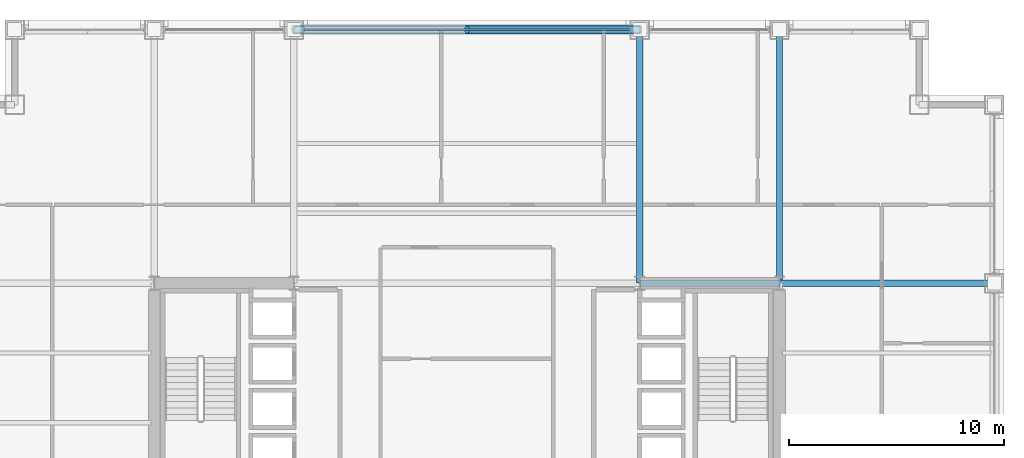
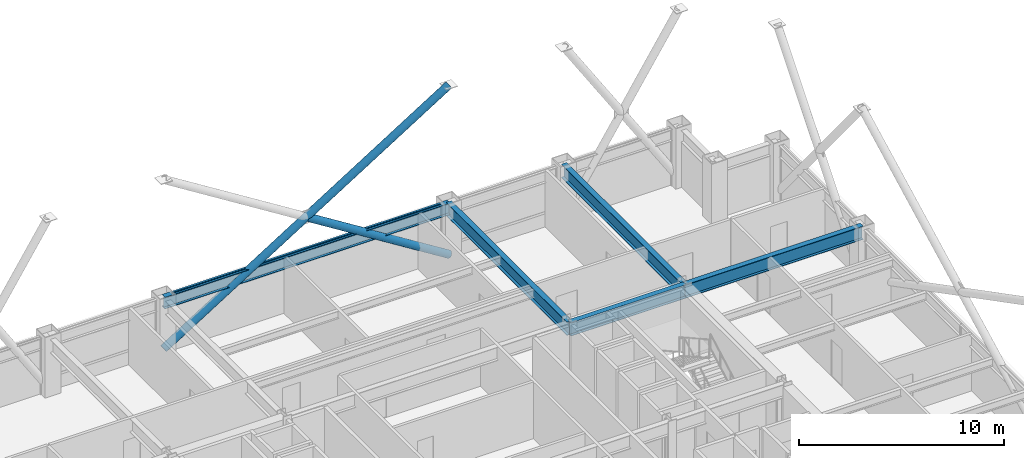
# One storey, part 20 of 29: 5 beams, 3 members, 1 element without a shape of its own.
"""IFC4 building model written with IfcOpenShell, lengths in metres."""

from ifc_helpers import new_model, si_unit, direction, frame, origin, origin_2d, place, context, subcontext, project, spatial, hollow_rectangle, hollow_circle, i_section, extrude, material, layer, layer_set, material_profile, profile_set, type_object, element, aggregate, save


model = new_model("IFC4")

# Units and contexts
model_context = context("Model", 3, precision=1e-05, world=origin(), true_north=direction((0.0, 1.0)))
body_context = subcontext(model_context, "Body", "Model", "MODEL_VIEW")
ifc_project = project(units=[si_unit("LENGTHUNIT", "METRE"), si_unit("AREAUNIT", "SQUARE_METRE"), si_unit("VOLUMEUNIT", "CUBIC_METRE"), si_unit("PLANEANGLEUNIT", "RADIAN"), si_unit("MASSUNIT", "GRAM", prefix="KILO")], contexts=[model_context])

# Site, building, storey
site_placement = place(None, origin())
site = spatial("IfcSite", under=ifc_project, at=site_placement, CompositionType="ELEMENT")
building_placement = place(site_placement, origin())
building = spatial("IfcBuilding", under=site, at=building_placement, Name="Brelmoor Portico Tower", CompositionType="ELEMENT")
storey_placement = place(building_placement, frame((0.0, 0.0, 67.199951171875)))
storey = spatial("IfcBuildingStorey", under=building, at=storey_placement, Name="L17", CompositionType="ELEMENT", Elevation=67.199951171875)

# Beams
ifc_material_1 = material(Name="Steel Q355B", Category="steel")
ifc_material_profile_1 = material_profile(ifc_material_1, i_section(OverallWidth=0.300048828125, OverallDepth=0.800048828125, WebThickness=0.013916015625, FlangeThickness=0.02587890625, at=origin_2d()), Name="HN 800x300x14x26")
ifc_profile_set_1 = profile_set([ifc_material_profile_1], Name="Steel Q355B")
beam_type_1 = type_object("IfcBeamType", Name="BM-PG-800", PredefinedType="BEAM", material=ifc_profile_set_1)
for number, where, z_axis, x_axis, name in (
    (1, (8.050048828125, 9.75, 3.0), (0.0, 1.0, 0.0), (-1.0, 0.0, 0.0), "L17 Primary Floor Girder PG-10"),
    (2, (14.550048828125, 9.75, 3.0), (0.0, 1.0, 0.0), (-1.0, 0.0, 0.0), "L17 Primary Floor Girder PG-14"),
):
    element("IfcBeam", number, at=place(storey_placement, frame(where, z_axis=z_axis, x_axis=x_axis)), inside=storey, type_object=beam_type_1, Name=name, PredefinedType="BEAM", context=body_context, shape_type="SweptSolid", body=[
        extrude(i_section(OverallWidth=0.300048828125, OverallDepth=0.800048828125, WebThickness=0.013916015625, FlangeThickness=0.02587890625, at=origin_2d()), origin(), (0.0, 0.0, 1.0), 11.800048828125),
    ])
beam_1_placement = place(storey_placement, frame((8.050048828125, 9.75, 3.0), z_axis=(1.0, 0.0, 0.0), x_axis=(0.0, 1.0, 0.0)))
element("IfcBeam", 3, at=beam_1_placement, inside=storey, type_object=beam_type_1, Name="L17 Primary Floor Girder PG-30", PredefinedType="BEAM", context=body_context, shape_type="SweptSolid", body=[
    extrude(i_section(OverallWidth=0.300048828125, OverallDepth=0.800048828125, WebThickness=0.013916015625, FlangeThickness=0.02587890625, at=origin_2d()), origin(), (0.0, 0.0, 1.0), 6.5),
])
beam_2_placement = place(storey_placement, frame((14.550048828125, 9.75, 3.0), z_axis=(1.0, 0.0, 0.0), x_axis=(0.0, 1.0, 0.0)))
element("IfcBeam", 4, at=beam_2_placement, inside=storey, type_object=beam_type_1, Name="L17 Primary Floor Girder PG-31", PredefinedType="BEAM", context=body_context, shape_type="SweptSolid", body=[
    extrude(i_section(OverallWidth=0.300048828125, OverallDepth=0.800048828125, WebThickness=0.013916015625, FlangeThickness=0.02587890625, at=origin_2d()), origin(), (0.0, 0.0, 1.0), 10.0),
])
ifc_material_profile_2 = material_profile(ifc_material_1, i_section(OverallWidth=0.300048828125, OverallDepth=0.699951171875, WebThickness=0.012939453125, FlangeThickness=0.02392578125, at=origin_2d()), Name="HN 700x300x13x24")
ifc_profile_set_2 = profile_set([ifc_material_profile_2], Name="Steel Q355B")
beam_type_2 = type_object("IfcBeamType", Name="BM-SP-700", PredefinedType="SPANDREL", material=ifc_profile_set_2)
beam_3_placement = place(storey_placement, frame((-8.050048828125, 21.550048828125, 3.050048828125), z_axis=(1.0, 0.0, 0.0), x_axis=(0.0, 1.0, 0.0)))
element("IfcBeam", 5, at=beam_3_placement, inside=storey, type_object=beam_type_2, Name="L17 Perimeter Spandrel Beam SP-12", PredefinedType="SPANDREL", context=body_context, shape_type="SweptSolid", body=[
    extrude(i_section(OverallWidth=0.300048828125, OverallDepth=0.699951171875, WebThickness=0.012939453125, FlangeThickness=0.02392578125, at=origin_2d()), origin(), (0.0, 0.0, 1.0), 16.10009765625),
])

# Members
ifc_material_profile_3 = material_profile(ifc_material_1, hollow_circle(Radius=0.212890625, WallThickness=0.02001953125, at=origin_2d()), Name="CHS 426x20")
ifc_profile_set_3 = profile_set([ifc_material_profile_3], Name="Steel Q355B")
member_type_1 = type_object("IfcMemberType", Name="MB-BELT-DIAG1", PredefinedType="BRACE", material=ifc_profile_set_3)
member_1_placement = place(storey_placement, frame((-8.050048828125, 21.550048828125, 0.25), z_axis=(0.847109476093, 0.0, 0.531418418493), x_axis=(0.0, 1.0, 0.0)))
element("IfcMember", 6, at=member_1_placement, inside=storey, type_object=member_type_1, Name="L17 Continuous Mega-X Brace 037A", PredefinedType="BRACE", context=body_context, shape_type="SweptSolid", body=[
    extrude(hollow_circle(Radius=0.212890625, WallThickness=0.02001953125, at=origin_2d()), origin(), (0.0, 0.0, 1.0), 19.005859375),
])
member_2_placement = place(storey_placement, frame((8.050048828125, 21.550048828125, 0.25), z_axis=(-0.847109476093, 0.0, 0.531418418493), x_axis=(0.0, -1.0, 0.0)))
element("IfcMember", 7, at=member_2_placement, inside=storey, type_object=member_type_1, Name="L17 Split Mega-X Brace 037B1", PredefinedType="BRACE", context=body_context, shape_type="SweptSolid", body=[
    extrude(hollow_circle(Radius=0.212890625, WallThickness=0.02001953125, at=origin_2d()), origin(), (0.0, 0.0, 1.0), 9.5029296875),
])

# Curtain wall, member
ifc_material_2 = material(Name="Anodised Aluminium Alloy 6063-T6", Category="aluminium")
ifc_layer = layer(ifc_material_2, 0.179931640625)
ifc_layer_set = layer_set([ifc_layer], Name="Anodised Aluminium Alloy 6063-T6")
curtain_wall_type = type_object("IfcCurtainWallType", Name="CW-TOWER-Z1-XB", PredefinedType="NOTDEFINED", material=ifc_layer_set)
curtain_wall_placement = place(storey_placement, origin())
curtain_wall = element("IfcCurtainWall", 8, at=curtain_wall_placement, inside=storey, type_object=curtain_wall_type, Name="L17 Curtain Wall CW-L17-02-3", PredefinedType="NOTDEFINED")
ifc_material_profile_4 = material_profile(ifc_material_2, hollow_rectangle(XDim=0.06494140625, YDim=0.139892578125, WallThickness=0.00390625, at=origin_2d()), Name="ALU TRANSOM 65x140")
ifc_profile_set_4 = profile_set([ifc_material_profile_4], Name="Anodised Aluminium Alloy 6063-T6")
member_type_2 = type_object("IfcMemberType", Name="MB-CW-TRAN-140", PredefinedType="USERDEFINED", material=ifc_profile_set_4)
member_3_placement = place(storey_placement, frame((-7.590087890625, 21.550048828125, 3.330078125), z_axis=(1.0, 0.0, 0.0), x_axis=(0.0, 1.0, 0.0)))
member_3 = element("IfcMember", 9, at=member_3_placement, type_object=member_type_2, Name="CW-L17-02-3 Transom 1-00", ObjectType="TRANSOM", PredefinedType="USERDEFINED", context=body_context, shape_type="SweptSolid", body=[
    extrude(hollow_rectangle(XDim=0.06494140625, YDim=0.139892578125, WallThickness=0.00390625, at=origin_2d()), origin(), (0.0, 0.0, 1.0), 15.18017578125),
])
aggregate(curtain_wall, [member_3])

save(model, "model.ifc")
